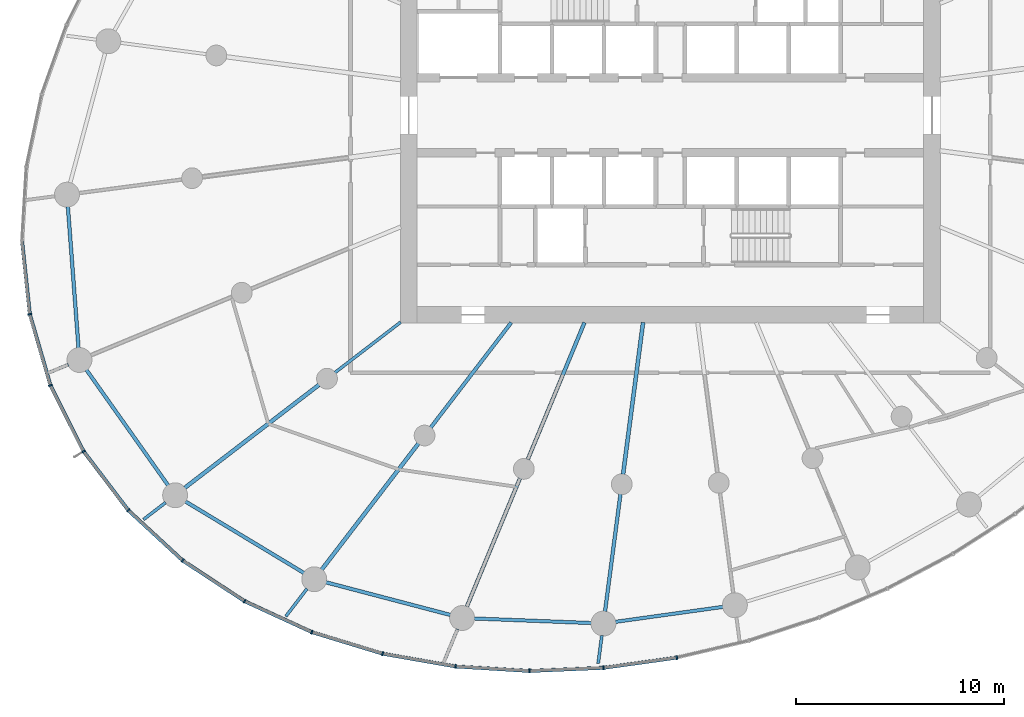
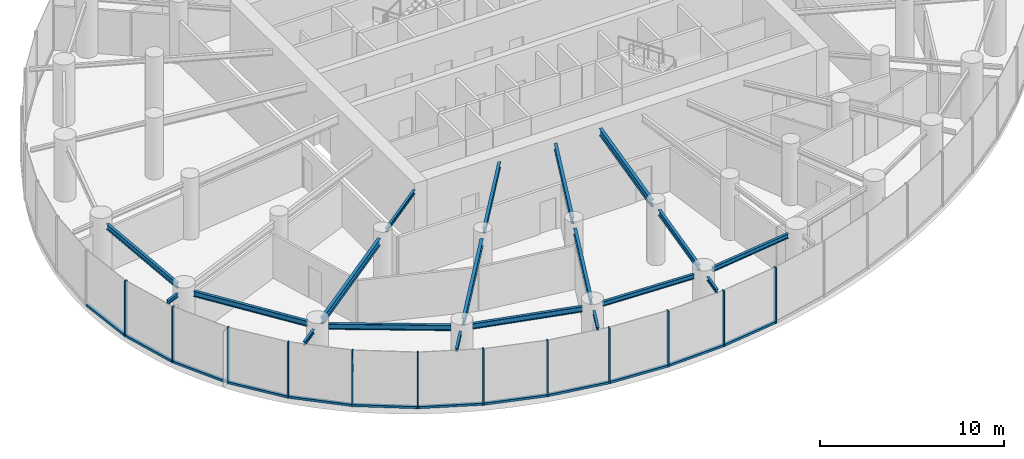
# One storey, part 2 of 17: 24 members, 19 beams, 3 elements without a shape of their own.
"""IFC4 building model written with IfcOpenShell, lengths in metres."""

from ifc_helpers import new_model, si_unit, direction, frame, origin, origin_2d, place, context, subcontext, project, spatial, rectangle, i_section, extrude, source, transform, mapped, material, layer, layer_set, material_profile, profile_set, type_object, element, aggregate, save


model = new_model("IFC4")

# Units and contexts
model_context = context("Model", 3, precision=1e-05, world=origin(), true_north=direction((0.0, 1.0)))
body_context = subcontext(model_context, "Body", "Model", "MODEL_VIEW")
ifc_project = project(units=[si_unit("LENGTHUNIT", "METRE"), si_unit("AREAUNIT", "SQUARE_METRE"), si_unit("VOLUMEUNIT", "CUBIC_METRE"), si_unit("PLANEANGLEUNIT", "RADIAN"), si_unit("MASSUNIT", "GRAM", prefix="KILO")], contexts=[model_context])

# Site, building, storey
site_placement = place(None, origin())
site = spatial("IfcSite", under=ifc_project, at=site_placement, CompositionType="ELEMENT")
building_placement = place(site_placement, origin())
building = spatial("IfcBuilding", under=site, at=building_placement, Name="Spindrift Exchange Tower", CompositionType="ELEMENT")
storey_placement = place(building_placement, frame((0.0, 0.0, 104.39990234375)))
storey = spatial("IfcBuildingStorey", under=building, at=storey_placement, Name="L24", CompositionType="ELEMENT", Elevation=104.39990234375)

# Beams
ifc_material_1 = material(Name="Steel Grade 300", Category="steel")
ifc_material_profile_1 = material_profile(ifc_material_1, i_section(OverallWidth=0.14599609375, OverallDepth=0.251953125, WebThickness=0.006103515625, FlangeThickness=0.008544921875, FilletRadius=0.011962890625, at=origin_2d()), Name="250UB31.4")
ifc_profile_set_1 = profile_set([ifc_material_profile_1], Name="Steel Grade 300")
beam_type_1 = type_object("IfcBeamType", Name="Floor Beam 250UB31.4 Steel Grade 300", PredefinedType="BEAM", material=ifc_profile_set_1)
shared_shape_1 = source(origin(), body_context, "Body", "SweptSolid", [
    extrude(i_section(OverallWidth=0.14599609375, OverallDepth=0.251953125, WebThickness=0.006103515625, FlangeThickness=0.008544921875, FilletRadius=0.011962890625, at=origin_2d()), origin(), (0.0, 0.0, 1.0), 3.99560546875),
])
beam_1_placement = place(storey_placement, frame((39.015869140625, 38.036865234375, 3.57421875), z_axis=(-0.793352561574, -0.608762443851, 0.0), x_axis=(0.608762443851, -0.793352561574, 0.0)))
element("IfcBeam", 1, at=beam_1_placement, inside=storey, type_object=beam_type_1, Name="L24 radial beam R15A", PredefinedType="BEAM", context=body_context, shape_type="MappedRepresentation", body=[
    mapped(shared_shape_1, transform((0.0, 0.0, 0.0), scale=1.0)),
])
ifc_material_profile_2 = material_profile(ifc_material_1, i_section(OverallWidth=0.172119140625, OverallDepth=0.35888671875, WebThickness=0.008056640625, FlangeThickness=0.012939453125, FilletRadius=0.013916015625, at=origin_2d()), Name="360UB56.7")
ifc_profile_set_2 = profile_set([ifc_material_profile_2], Name="Steel Grade 300")
beam_type_2 = type_object("IfcBeamType", Name="Floor Beam 360UB56.7 Steel Grade 300", PredefinedType="BEAM", material=ifc_profile_set_2)
shared_shape_2 = source(origin(), body_context, "Body", "SweptSolid", [
    extrude(i_section(OverallWidth=0.172119140625, OverallDepth=0.35888671875, WebThickness=0.008056640625, FlangeThickness=0.012939453125, FilletRadius=0.013916015625, at=origin_2d()), origin(), (0.0, 0.0, 1.0), 6.37646484375),
])
beam_2_placement = place(storey_placement, frame((44.3388671875, 38.015869140625, 3.5205078125), z_axis=(-0.608766669952, -0.793349318747, 0.0), x_axis=(0.793349318747, -0.608766669952, 0.0)))
element("IfcBeam", 2, at=beam_2_placement, inside=storey, type_object=beam_type_2, Name="L24 radial beam R16A", PredefinedType="BEAM", context=body_context, shape_type="MappedRepresentation", body=[
    mapped(shared_shape_2, transform((0.0, 0.0, 0.0), scale=1.0)),
])
ifc_material_profile_3 = material_profile(ifc_material_1, i_section(OverallWidth=0.177978515625, OverallDepth=0.406005859375, WebThickness=0.0078125, FlangeThickness=0.0126953125, FilletRadius=0.013916015625, at=origin_2d()), Name="410UB59.7")
ifc_profile_set_3 = profile_set([ifc_material_profile_3], Name="Steel Grade 300")
beam_type_3 = type_object("IfcBeamType", Name="Floor Beam 410UB59.7 Steel Grade 300", PredefinedType="BEAM", material=ifc_profile_set_3)
shared_shape_3 = source(origin(), body_context, "Body", "SweptSolid", [
    extrude(i_section(OverallWidth=0.177978515625, OverallDepth=0.406005859375, WebThickness=0.0078125, FlangeThickness=0.0126953125, FilletRadius=0.013916015625, at=origin_2d()), origin(), (0.0, 0.0, 1.0), 7.150634765625),
])
beam_3_placement = place(storey_placement, frame((47.865478515625, 38.0185546875, 3.4970703125), z_axis=(-0.382665393358, -0.923887004306, 0.0), x_axis=(0.923887004306, -0.382665393358, 0.0)))
element("IfcBeam", 3, at=beam_3_placement, inside=storey, type_object=beam_type_3, Name="L24 radial beam R17A", PredefinedType="BEAM", context=body_context, shape_type="MappedRepresentation", body=[
    mapped(shared_shape_3, transform((0.0, 0.0, 0.0), scale=1.0)),
])
ifc_material_profile_4 = material_profile(ifc_material_1, i_section(OverallWidth=0.18994140625, OverallDepth=0.45703125, WebThickness=0.009033203125, FlangeThickness=0.014404296875, FilletRadius=0.013916015625, at=origin_2d()), Name="460UB74.6")
ifc_profile_set_4 = profile_set([ifc_material_profile_4], Name="Steel Grade 300")
beam_type_4 = type_object("IfcBeamType", Name="Floor Beam 460UB74.6 Steel Grade 300", PredefinedType="BEAM", material=ifc_profile_set_4)
shared_shape_4 = source(origin(), body_context, "Body", "SweptSolid", [
    extrude(i_section(OverallWidth=0.18994140625, OverallDepth=0.45703125, WebThickness=0.009033203125, FlangeThickness=0.014404296875, FilletRadius=0.013916015625, at=origin_2d()), origin(), (0.0, 0.0, 1.0), 7.374267578125),
])
beam_4_placement = place(storey_placement, frame((50.68603515625, 38.019775390625, 3.4716796875), z_axis=(-0.130539295622, -0.99144313619, 0.0), x_axis=(0.99144313619, -0.130539295622, 0.0)))
element("IfcBeam", 4, at=beam_4_placement, inside=storey, type_object=beam_type_4, Name="L24 radial beam R18A", PredefinedType="BEAM", context=body_context, shape_type="MappedRepresentation", body=[
    mapped(shared_shape_4, transform((0.0, 0.0, 0.0), scale=1.0)),
])
shared_shape_5 = source(origin(), body_context, "Body", "SweptSolid", [
    extrude(i_section(OverallWidth=0.18994140625, OverallDepth=0.45703125, WebThickness=0.009033203125, FlangeThickness=0.014404296875, FilletRadius=0.013916015625, at=origin_2d()), origin(), (0.0, 0.0, 1.0), 8.158447265625),
])
beam_5_placement = place(storey_placement, frame((35.08447265625, 35.020263671875, 3.4716796875), z_axis=(-0.793358732539, -0.608754401631, 0.0), x_axis=(0.608754401631, -0.793358732539, 0.0)))
element("IfcBeam", 5, at=beam_5_placement, inside=storey, type_object=beam_type_4, Name="L24 radial beam R15B", PredefinedType="BEAM", context=body_context, shape_type="MappedRepresentation", body=[
    mapped(shared_shape_5, transform((0.0, 0.0, 0.0), scale=1.0)),
])
shared_shape_6 = source(origin(), body_context, "Body", "SweptSolid", [
    extrude(i_section(OverallWidth=0.18994140625, OverallDepth=0.45703125, WebThickness=0.009033203125, FlangeThickness=0.014404296875, FilletRadius=0.013916015625, at=origin_2d()), origin(), (0.0, 0.0, 1.0), 7.663818359375),
])
beam_6_placement = place(storey_placement, frame((39.872802734375, 32.1953125, 3.4716796875), z_axis=(-0.608771227503, -0.793345821546, 0.0), x_axis=(0.793345821546, -0.608771227503, 0.0)))
element("IfcBeam", 6, at=beam_6_placement, inside=storey, type_object=beam_type_4, Name="L24 radial beam R16B", PredefinedType="BEAM", context=body_context, shape_type="MappedRepresentation", body=[
    mapped(shared_shape_6, transform((0.0, 0.0, 0.0), scale=1.0)),
])
shared_shape_7 = source(origin(), body_context, "Body", "SweptSolid", [
    extrude(i_section(OverallWidth=0.177978515625, OverallDepth=0.406005859375, WebThickness=0.0078125, FlangeThickness=0.0126953125, FilletRadius=0.013916015625, at=origin_2d()), origin(), (0.0, 0.0, 1.0), 6.71240234375),
])
beam_7_placement = place(storey_placement, frame((44.76171875, 30.525146484375, 3.4970703125), z_axis=(-0.382669812754, -0.923885173821, 0.0), x_axis=(0.923885173821, -0.382669812754, 0.0)))
element("IfcBeam", 7, at=beam_7_placement, inside=storey, type_object=beam_type_3, Name="L24 radial beam R17B", PredefinedType="BEAM", context=body_context, shape_type="MappedRepresentation", body=[
    mapped(shared_shape_7, transform((0.0, 0.0, 0.0), scale=1.0)),
])
shared_shape_8 = source(origin(), body_context, "Body", "SweptSolid", [
    extrude(i_section(OverallWidth=0.172119140625, OverallDepth=0.35888671875, WebThickness=0.008056640625, FlangeThickness=0.012939453125, FilletRadius=0.013916015625, at=origin_2d()), origin(), (0.0, 0.0, 1.0), 5.70751953125),
])
beam_8_placement = place(storey_placement, frame((49.59814453125, 29.7568359375, 3.5205078125), z_axis=(-0.130507624881, -0.991447305634, 0.0), x_axis=(0.991447305634, -0.130507624881, 0.0)))
element("IfcBeam", 8, at=beam_8_placement, inside=storey, type_object=beam_type_2, Name="L24 radial beam R18B", PredefinedType="BEAM", context=body_context, shape_type="MappedRepresentation", body=[
    mapped(shared_shape_8, transform((0.0, 0.0, 0.0), scale=1.0)),
])
ifc_material_profile_5 = material_profile(ifc_material_1, i_section(OverallWidth=0.172119140625, OverallDepth=0.35888671875, WebThickness=0.008056640625, FlangeThickness=0.012939453125, FilletRadius=0.013916015625, at=origin_2d()), Name="360UB56.7")
ifc_profile_set_5 = profile_set([ifc_material_profile_5], Name="Steel Grade 300")
beam_type_5 = type_object("IfcBeamType", Name="Edge Beam 360UB56.7 Steel Grade 300", PredefinedType="SPANDREL", material=ifc_profile_set_5)
shared_shape_9 = source(origin(), body_context, "Body", "SweptSolid", [
    extrude(i_section(OverallWidth=0.172119140625, OverallDepth=0.35888671875, WebThickness=0.008056640625, FlangeThickness=0.012939453125, FilletRadius=0.013916015625, at=origin_2d()), origin(), (0.0, 0.0, 1.0), 6.82373046875),
])
beam_9_placement = place(storey_placement, frame((22.9873046875, 43.59619140625, 3.5205078125), z_axis=(0.075276463877, -0.997162701863, 0.0), x_axis=(0.997162701863, 0.075276463877, 0.0)))
element("IfcBeam", 9, at=beam_9_placement, inside=storey, type_object=beam_type_5, Name="L24 edge beam E13", PredefinedType="SPANDREL", context=body_context, shape_type="MappedRepresentation", body=[
    mapped(shared_shape_9, transform((0.0, 0.0, 0.0), scale=1.0)),
])
shared_shape_10 = source(origin(), body_context, "Body", "SweptSolid", [
    extrude(i_section(OverallWidth=0.172119140625, OverallDepth=0.35888671875, WebThickness=0.008056640625, FlangeThickness=0.012939453125, FilletRadius=0.013916015625, at=origin_2d()), origin(), (0.0, 0.0, 1.0), 6.81787109375),
])
beam_10_placement = place(storey_placement, frame((23.87939453125, 35.739990234375, 3.5205078125), z_axis=(0.577526426198, -0.816371990604, 0.0), x_axis=(0.816371990604, 0.577526426198, 0.0)))
element("IfcBeam", 10, at=beam_10_placement, inside=storey, type_object=beam_type_5, Name="L24 edge beam E14", PredefinedType="SPANDREL", context=body_context, shape_type="MappedRepresentation", body=[
    mapped(shared_shape_10, transform((0.0, 0.0, 0.0), scale=1.0)),
])
shared_shape_11 = source(origin(), body_context, "Body", "SweptSolid", [
    extrude(i_section(OverallWidth=0.172119140625, OverallDepth=0.35888671875, WebThickness=0.008056640625, FlangeThickness=0.012939453125, FilletRadius=0.013916015625, at=origin_2d()), origin(), (0.0, 0.0, 1.0), 6.668701171875),
])
beam_11_placement = place(storey_placement, frame((28.6484375, 29.40087890625, 3.5205078125), z_axis=(0.856133207479, -0.516755194508, 0.0), x_axis=(0.516755194508, 0.856133207479, 0.0)))
element("IfcBeam", 11, at=beam_11_placement, inside=storey, type_object=beam_type_5, Name="L24 edge beam E15", PredefinedType="SPANDREL", context=body_context, shape_type="MappedRepresentation", body=[
    mapped(shared_shape_11, transform((0.0, 0.0, 0.0), scale=1.0)),
])
shared_shape_12 = source(origin(), body_context, "Body", "SweptSolid", [
    extrude(i_section(OverallWidth=0.172119140625, OverallDepth=0.35888671875, WebThickness=0.008056640625, FlangeThickness=0.012939453125, FilletRadius=0.013916015625, at=origin_2d()), origin(), (0.0, 0.0, 1.0), 6.197509765625),
])
beam_12_placement = place(storey_placement, frame((35.415283203125, 25.508056640625, 3.5205078125), z_axis=(0.967254420813, -0.253808757567, 0.0), x_axis=(0.253808757567, 0.967254420813, 0.0)))
element("IfcBeam", 12, at=beam_12_placement, inside=storey, type_object=beam_type_5, Name="L24 edge beam E16", PredefinedType="SPANDREL", context=body_context, shape_type="MappedRepresentation", body=[
    mapped(shared_shape_12, transform((0.0, 0.0, 0.0), scale=1.0)),
])
ifc_material_profile_6 = material_profile(ifc_material_1, i_section(OverallWidth=0.1650390625, OverallDepth=0.303955078125, WebThickness=0.006103515625, FlangeThickness=0.01025390625, FilletRadius=0.011474609375, at=origin_2d()), Name="310UB40.4")
ifc_profile_set_6 = profile_set([ifc_material_profile_6], Name="Steel Grade 300")
beam_type_6 = type_object("IfcBeamType", Name="Edge Beam 310UB40.4 Steel Grade 300", PredefinedType="SPANDREL", material=ifc_profile_set_6)
shared_shape_13 = source(origin(), body_context, "Body", "SweptSolid", [
    extrude(i_section(OverallWidth=0.1650390625, OverallDepth=0.303955078125, WebThickness=0.006103515625, FlangeThickness=0.01025390625, FilletRadius=0.011474609375, at=origin_2d()), origin(), (0.0, 0.0, 1.0), 5.65185546875),
])
beam_13_placement = place(storey_placement, frame((42.550537109375, 23.765380859375, 3.548095703125), z_axis=(0.99924397539, -0.038877726865, 0.0), x_axis=(0.038877726865, 0.99924397539, 0.0)))
element("IfcBeam", 13, at=beam_13_placement, inside=storey, type_object=beam_type_6, Name="L24 edge beam E17", PredefinedType="SPANDREL", context=body_context, shape_type="MappedRepresentation", body=[
    mapped(shared_shape_13, transform((0.0, 0.0, 0.0), scale=1.0)),
])
shared_shape_14 = source(origin(), body_context, "Body", "SweptSolid", [
    extrude(i_section(OverallWidth=0.1650390625, OverallDepth=0.303955078125, WebThickness=0.006103515625, FlangeThickness=0.01025390625, FilletRadius=0.011474609375, at=origin_2d()), origin(), (0.0, 0.0, 1.0), 5.22998046875),
])
beam_14_placement = place(storey_placement, frame((49.35205078125, 23.603271484375, 3.548095703125), z_axis=(0.990440078597, 0.137943650481, 0.0), x_axis=(-0.137943650481, 0.990440078597, 0.0)))
element("IfcBeam", 14, at=beam_14_placement, inside=storey, type_object=beam_type_6, Name="L24 edge beam E18", PredefinedType="SPANDREL", context=body_context, shape_type="MappedRepresentation", body=[
    mapped(shared_shape_14, transform((0.0, 0.0, 0.0), scale=1.0)),
])
ifc_material_profile_7 = material_profile(ifc_material_1, i_section(OverallWidth=0.14599609375, OverallDepth=0.251953125, WebThickness=0.006103515625, FlangeThickness=0.008544921875, FilletRadius=0.011962890625, at=origin_2d()), Name="250UB31.4")
ifc_profile_set_7 = profile_set([ifc_material_profile_7], Name="Steel Grade 300")
beam_type_7 = type_object("IfcBeamType", Name="Cantilever Beam 250UB31.4 Steel Grade 300", PredefinedType="BEAM", material=ifc_profile_set_7)
shared_shape_15 = source(origin(), body_context, "Body", "SweptSolid", [
    extrude(i_section(OverallWidth=0.14599609375, OverallDepth=0.251953125, WebThickness=0.006103515625, FlangeThickness=0.008544921875, FilletRadius=0.011962890625, at=origin_2d()), origin(), (0.0, 0.0, 1.0), 0.9267578125),
])
beam_15_placement = place(storey_placement, frame((23.0087890625, 35.991455078125, 3.57421875), z_axis=(-0.923846648553, -0.382762811619, 0.0), x_axis=(0.382762811619, -0.923846648553, 0.0)))
element("IfcBeam", 15, at=beam_15_placement, inside=storey, type_object=beam_type_7, Name="L24 cantilever beam R14T", PredefinedType="BEAM", context=body_context, shape_type="MappedRepresentation", body=[
    mapped(shared_shape_15, transform((0.0, 0.0, 0.0), scale=1.0)),
])
shared_shape_16 = source(origin(), body_context, "Body", "SweptSolid", [
    extrude(i_section(OverallWidth=0.14599609375, OverallDepth=0.251953125, WebThickness=0.006103515625, FlangeThickness=0.008544921875, FilletRadius=0.011962890625, at=origin_2d()), origin(), (0.0, 0.0, 1.0), 1.33740234375),
])
beam_16_placement = place(storey_placement, frame((27.691650390625, 29.347412109375, 3.57421875), z_axis=(-0.793424144756, -0.608669143722, 0.0), x_axis=(0.608669143722, -0.793424144756, 0.0)))
element("IfcBeam", 16, at=beam_16_placement, inside=storey, type_object=beam_type_7, Name="L24 cantilever beam R15T", PredefinedType="BEAM", context=body_context, shape_type="MappedRepresentation", body=[
    mapped(shared_shape_16, transform((0.0, 0.0, 0.0), scale=1.0)),
])
shared_shape_17 = source(origin(), body_context, "Body", "SweptSolid", [
    extrude(i_section(OverallWidth=0.14599609375, OverallDepth=0.251953125, WebThickness=0.006103515625, FlangeThickness=0.008544921875, FilletRadius=0.011962890625, at=origin_2d()), origin(), (0.0, 0.0, 1.0), 1.67724609375),
])
beam_17_placement = place(storey_placement, frame((34.501220703125, 25.195068359375, 3.57421875), z_axis=(-0.608767651561, -0.79334856552, 0.0), x_axis=(0.79334856552, -0.608767651561, 0.0)))
element("IfcBeam", 17, at=beam_17_placement, inside=storey, type_object=beam_type_7, Name="L24 cantilever beam R16T", PredefinedType="BEAM", context=body_context, shape_type="MappedRepresentation", body=[
    mapped(shared_shape_17, transform((0.0, 0.0, 0.0), scale=1.0)),
])
shared_shape_18 = source(origin(), body_context, "Body", "SweptSolid", [
    extrude(i_section(OverallWidth=0.14599609375, OverallDepth=0.251953125, WebThickness=0.006103515625, FlangeThickness=0.008544921875, FilletRadius=0.011962890625, at=origin_2d()), origin(), (0.0, 0.0, 1.0), 1.62890625),
])
beam_18_placement = place(storey_placement, frame((41.7490234375, 23.251953125, 3.57421875), z_axis=(-0.382656259044, -0.923890787601, 0.0), x_axis=(0.923890787601, -0.382656259044, 0.0)))
element("IfcBeam", 18, at=beam_18_placement, inside=storey, type_object=beam_type_7, Name="L24 cantilever beam R17T", PredefinedType="BEAM", context=body_context, shape_type="MappedRepresentation", body=[
    mapped(shared_shape_18, transform((0.0, 0.0, 0.0), scale=1.0)),
])
shared_shape_19 = source(origin(), body_context, "Body", "SweptSolid", [
    extrude(i_section(OverallWidth=0.14599609375, OverallDepth=0.251953125, WebThickness=0.006103515625, FlangeThickness=0.008544921875, FilletRadius=0.011962890625, at=origin_2d()), origin(), (0.0, 0.0, 1.0), 1.366943359375),
])
beam_19_placement = place(storey_placement, frame((48.701904296875, 22.9482421875, 3.57421875), z_axis=(-0.130560775534, -0.991440307781, 0.0), x_axis=(0.991440307781, -0.130560775534, 0.0)))
element("IfcBeam", 19, at=beam_19_placement, inside=storey, type_object=beam_type_7, Name="L24 cantilever beam R18T", PredefinedType="BEAM", context=body_context, shape_type="MappedRepresentation", body=[
    mapped(shared_shape_19, transform((0.0, 0.0, 0.0), scale=1.0)),
])

# Curtain wall, members
ifc_material_2 = material(Name="Fritted laminated glass with bronze frame", Category="glass")
ifc_layer = layer(ifc_material_2, 0.18994140625)
ifc_layer_set = layer_set([ifc_layer], Name="ZONE 2 BRONZE FRITTED WALL")
curtain_wall_type = type_object("IfcCurtainWallType", Name="ZONE 2 BRONZE FRITTED WALL", PredefinedType="NOTDEFINED", material=ifc_layer_set)
curtain_wall_1_placement = place(storey_placement, origin())
curtain_wall_1 = element("IfcCurtainWall", 20, at=curtain_wall_1_placement, inside=storey, type_object=curtain_wall_type, Name="L24 Zone 2 Bronze Fritted Wall run 5", PredefinedType="NOTDEFINED")
ifc_material_3 = material(Name="Bronze anodised aluminium", Category="aluminium")
ifc_material_profile_8 = material_profile(ifc_material_3, rectangle(XDim=0.169921875, YDim=0.139892578125, at=origin_2d()), Name="ZONE 2 BRONZE FRITTED WALL TRANSOM 170X140")
ifc_profile_set_8 = profile_set([ifc_material_profile_8], Name="Bronze anodised aluminium")
member_type_1 = type_object("IfcMemberType", Name="ZONE 2 BRONZE FRITTED WALL TRANSOM 170X140", PredefinedType="USERDEFINED", material=ifc_profile_set_8)
shared_shape_20 = source(origin(), body_context, "Body", "SweptSolid", [
    extrude(rectangle(XDim=0.169921875, YDim=0.139892578125, at=origin_2d()), origin(), (0.0, 0.0, 1.0), 3.489013671875),
])
member_1_placement = place(storey_placement, frame((28.54833984375, 26.53466796875, 0.070068359375), z_axis=(0.835799062102, -0.549035452215, 0.0), x_axis=(0.549035452215, 0.835799062102, 0.0)))
member_1 = element("IfcMember", 21, at=member_1_placement, type_object=member_type_1, Name="L24 transom CW-2.29", ObjectType="TRANSOM", PredefinedType="USERDEFINED", context=body_context, shape_type="MappedRepresentation", body=[
    mapped(shared_shape_20, transform((0.0, 0.0, 0.0), scale=1.0)),
])
shared_shape_21 = source(origin(), body_context, "Body", "SweptSolid", [
    extrude(rectangle(XDim=0.169921875, YDim=0.139892578125, at=origin_2d()), origin(), (0.0, 0.0, 1.0), 3.487548828125),
])
member_2_placement = place(storey_placement, frame((22.162841796875, 34.9609375, 0.070068359375), z_axis=(0.448920821232, -0.893571539533, 0.0), x_axis=(0.893571539533, 0.448920821232, 0.0)))
member_2 = element("IfcMember", 22, at=member_2_placement, type_object=member_type_1, Name="L24 transom CW-2.26", ObjectType="TRANSOM", PredefinedType="USERDEFINED", context=body_context, shape_type="MappedRepresentation", body=[
    mapped(shared_shape_21, transform((0.0, 0.0, 0.0), scale=1.0)),
])
shared_shape_22 = source(origin(), body_context, "Body", "SweptSolid", [
    extrude(rectangle(XDim=0.169921875, YDim=0.139892578125, at=origin_2d()), origin(), (0.0, 0.0, 1.0), 3.48779296875),
])
member_3_placement = place(storey_placement, frame((21.164306640625, 38.38037109375, 0.070068359375), z_axis=(0.278454070036, -0.960449546244, 0.0), x_axis=(0.960449546244, 0.278454070036, 0.0)))
member_3 = element("IfcMember", 23, at=member_3_placement, type_object=member_type_1, Name="L24 transom CW-2.25", ObjectType="TRANSOM", PredefinedType="USERDEFINED", context=body_context, shape_type="MappedRepresentation", body=[
    mapped(shared_shape_22, transform((0.0, 0.0, 0.0), scale=1.0)),
])
member_4_placement = place(storey_placement, frame((23.76806640625, 31.781005859375, 0.070068359375), z_axis=(0.604358904616, -0.79671219045, 0.0), x_axis=(0.79671219045, 0.604358904616, 0.0)))
member_4 = element("IfcMember", 24, at=member_4_placement, type_object=member_type_1, Name="L24 transom CW-2.27", ObjectType="TRANSOM", PredefinedType="USERDEFINED", context=body_context, shape_type="MappedRepresentation", body=[
    mapped(shared_shape_22, transform((0.0, 0.0, 0.0), scale=1.0)),
])

curtain_wall_2_placement = place(storey_placement, origin())
curtain_wall_2 = element("IfcCurtainWall", 25, at=curtain_wall_2_placement, inside=storey, type_object=curtain_wall_type, Name="L24 Zone 2 Bronze Fritted Wall run 6", PredefinedType="NOTDEFINED")
shared_shape_23 = source(origin(), body_context, "Body", "SweptSolid", [
    extrude(rectangle(XDim=0.169921875, YDim=0.139892578125, at=origin_2d()), origin(), (0.0, 0.0, 1.0), 3.49072265625),
])
member_5_placement = place(storey_placement, frame((38.181640625, 22.063232421875, 0.070068359375), z_axis=(0.985100156482, -0.171981631863, 0.0), x_axis=(0.171981631863, 0.985100156482, 0.0)))
member_5 = element("IfcMember", 26, at=member_5_placement, type_object=member_type_1, Name="L24 transom CW-2.32", ObjectType="TRANSOM", PredefinedType="USERDEFINED", context=body_context, shape_type="MappedRepresentation", body=[
    mapped(shared_shape_23, transform((0.0, 0.0, 0.0), scale=1.0)),
])
shared_shape_24 = source(origin(), body_context, "Body", "SweptSolid", [
    extrude(rectangle(XDim=0.169921875, YDim=0.139892578125, at=origin_2d()), origin(), (0.0, 0.0, 1.0), 3.491455078125),
])
member_6_placement = place(storey_placement, frame((45.254150390625, 21.240966796875, 0.070068359375), z_axis=(0.999110630826, 0.042165713213, 0.0), x_axis=(-0.042165713213, 0.999110630826, 0.0)))
member_6 = element("IfcMember", 27, at=member_6_placement, type_object=member_type_1, Name="L24 transom CW-2.34", ObjectType="TRANSOM", PredefinedType="USERDEFINED", context=body_context, shape_type="MappedRepresentation", body=[
    mapped(shared_shape_24, transform((0.0, 0.0, 0.0), scale=1.0)),
])
member_7_placement = place(storey_placement, frame((48.817138671875, 21.39501953125, 0.070068359375), z_axis=(0.990437142068, 0.137964733218, 0.0), x_axis=(-0.137964733218, 0.990437142068, 0.0)))
member_7 = element("IfcMember", 28, at=member_7_placement, type_object=member_type_1, Name="L24 transom CW-2.35", ObjectType="TRANSOM", PredefinedType="USERDEFINED", context=body_context, shape_type="MappedRepresentation", body=[
    mapped(shared_shape_24, transform((0.0, 0.0, 0.0), scale=1.0)),
])

# Member
ifc_material_profile_9 = material_profile(ifc_material_3, rectangle(XDim=0.074951171875, YDim=0.18994140625, at=origin_2d()), Name="ZONE 2 BRONZE FRITTED WALL MULLION 75X190")
ifc_profile_set_9 = profile_set([ifc_material_profile_9], Name="Bronze anodised aluminium")
member_type_2 = type_object("IfcMemberType", Name="ZONE 2 BRONZE FRITTED WALL MULLION 75X190", PredefinedType="MULLION", material=ifc_profile_set_9)
shared_shape_25 = source(origin(), body_context, "Body", "SweptSolid", [
    extrude(rectangle(XDim=0.074951171875, YDim=0.18994140625, at=origin_2d()), origin(), (0.0, 0.0, 1.0), 3.7001953125),
])
member_8_placement = place(storey_placement, frame((21.15380859375, 38.416259765625, 0.0), z_axis=(0.0, 0.0, 1.0), x_axis=(0.192793040194, -0.981239442569, 0.0)))
member_8 = element("IfcMember", 29, at=member_8_placement, type_object=member_type_2, Name="L24 mullion CW-2.25", PredefinedType="MULLION", context=body_context, shape_type="MappedRepresentation", body=[
    mapped(shared_shape_25, transform((0.0, 0.0, 0.0), scale=1.0)),
])

member_9_placement = place(storey_placement, frame((22.14599609375, 34.994384765625, 0.0), z_axis=(0.0, 0.0, 1.0), x_axis=(0.365229168887, -0.93091764093, 0.0)))
member_9 = element("IfcMember", 30, at=member_9_placement, type_object=member_type_2, Name="L24 mullion CW-2.26", PredefinedType="MULLION", context=body_context, shape_type="MappedRepresentation", body=[
    mapped(shared_shape_25, transform((0.0, 0.0, 0.0), scale=1.0)),
])

member_10_placement = place(storey_placement, frame((23.745361328125, 31.810791015625, 0.0), z_axis=(0.0, 0.0, 1.0), x_axis=(0.528877031917, -0.848698465364, 0.0)))
member_10 = element("IfcMember", 31, at=member_10_placement, type_object=member_type_2, Name="L24 mullion CW-2.27", PredefinedType="MULLION", context=body_context, shape_type="MappedRepresentation", body=[
    mapped(shared_shape_25, transform((0.0, 0.0, 0.0), scale=1.0)),
])

member_11_placement = place(storey_placement, frame((25.898681640625, 28.972412109375, 0.0), z_axis=(0.0, 0.0, 1.0), x_axis=(0.672180147528, -0.740387634465, 0.0)))
member_11 = element("IfcMember", 32, at=member_11_placement, type_object=member_type_2, Name="L24 mullion CW-2.28", PredefinedType="MULLION", context=body_context, shape_type="MappedRepresentation", body=[
    mapped(shared_shape_25, transform((0.0, 0.0, 0.0), scale=1.0)),
])

member_12_placement = place(storey_placement, frame((28.51708984375, 26.55517578125, 0.0), z_axis=(0.0, 0.0, 1.0), x_axis=(0.787941192221, -0.615750499474, 0.0)))
member_12 = element("IfcMember", 33, at=member_12_placement, type_object=member_type_2, Name="L24 mullion CW-2.29", PredefinedType="MULLION", context=body_context, shape_type="MappedRepresentation", body=[
    mapped(shared_shape_25, transform((0.0, 0.0, 0.0), scale=1.0)),
])

member_13_placement = place(storey_placement, frame((31.495849609375, 24.598388671875, 0.0), z_axis=(0.0, 0.0, 1.0), x_axis=(0.8745766434, -0.484887301154, 0.0)))
member_13 = element("IfcMember", 34, at=member_13_placement, type_object=member_type_2, Name="L24 mullion CW-2.30", PredefinedType="MULLION", context=body_context, shape_type="MappedRepresentation", body=[
    mapped(shared_shape_25, transform((0.0, 0.0, 0.0), scale=1.0)),
])

member_14_placement = place(storey_placement, frame((34.734130859375, 23.1083984375, 0.0), z_axis=(0.0, 0.0, 1.0), x_axis=(0.934675612317, -0.355501757718, 0.0)))
member_14 = element("IfcMember", 35, at=member_14_placement, type_object=member_type_2, Name="L24 mullion CW-2.31", PredefinedType="MULLION", context=body_context, shape_type="MappedRepresentation", body=[
    mapped(shared_shape_25, transform((0.0, 0.0, 0.0), scale=1.0)),
])

member_15_placement = place(storey_placement, frame((38.144775390625, 22.069580078125, 0.0), z_axis=(0.0, 0.0, 1.0), x_axis=(0.972693777691, -0.232092255023, 0.0)))
member_15 = element("IfcMember", 36, at=member_15_placement, type_object=member_type_2, Name="L24 mullion CW-2.32", PredefinedType="MULLION", context=body_context, shape_type="MappedRepresentation", body=[
    mapped(shared_shape_25, transform((0.0, 0.0, 0.0), scale=1.0)),
])

member_16_placement = place(storey_placement, frame((41.657470703125, 21.456298828125, 0.0), z_axis=(0.0, 0.0, 1.0), x_axis=(0.993178012465, -0.116608042416, 0.0)))
member_16 = element("IfcMember", 37, at=member_16_placement, type_object=member_type_2, Name="L24 mullion CW-2.33", PredefinedType="MULLION", context=body_context, shape_type="MappedRepresentation", body=[
    mapped(shared_shape_25, transform((0.0, 0.0, 0.0), scale=1.0)),
])

member_17_placement = place(storey_placement, frame((45.216796875, 21.2392578125, 0.0), z_axis=(0.0, 0.0, 1.0), x_axis=(0.999956267793, -0.009352138889, 0.0)))
member_17 = element("IfcMember", 38, at=member_17_placement, type_object=member_type_2, Name="L24 mullion CW-2.34", PredefinedType="MULLION", context=body_context, shape_type="MappedRepresentation", body=[
    mapped(shared_shape_25, transform((0.0, 0.0, 0.0), scale=1.0)),
])

member_18_placement = place(storey_placement, frame((48.77978515625, 21.389892578125, 0.0), z_axis=(0.0, 0.0, 1.0), x_axis=(0.995922812922, 0.090209482328, 0.0)))
member_18 = element("IfcMember", 39, at=member_18_placement, type_object=member_type_2, Name="L24 mullion CW-2.35", PredefinedType="MULLION", context=body_context, shape_type="MappedRepresentation", body=[
    mapped(shared_shape_25, transform((0.0, 0.0, 0.0), scale=1.0)),
])

member_19_placement = place(storey_placement, frame((52.312255859375, 21.882080078125, 0.0), z_axis=(0.0, 0.0, 1.0), x_axis=(0.983120387525, 0.182959841585, 0.0)))
member_19 = element("IfcMember", 40, at=member_19_placement, type_object=member_type_2, Name="L24 mullion CW-2.36", PredefinedType="MULLION", context=body_context, shape_type="MappedRepresentation", body=[
    mapped(shared_shape_25, transform((0.0, 0.0, 0.0), scale=1.0)),
])

shared_shape_26 = source(origin(), body_context, "Body", "SweptSolid", [
    extrude(rectangle(XDim=0.169921875, YDim=0.139892578125, at=origin_2d()), origin(), (0.0, 0.0, 1.0), 3.490966796875),
])
member_20_placement = place(storey_placement, frame((41.69482421875, 21.4541015625, 0.070068359375), z_axis=(0.998147450402, -0.060841328512, 0.0), x_axis=(0.060841328512, 0.998147450402, 0.0)))
member_20 = element("IfcMember", 41, at=member_20_placement, type_object=member_type_1, Name="L24 transom CW-2.33", ObjectType="TRANSOM", PredefinedType="USERDEFINED", context=body_context, shape_type="MappedRepresentation", body=[
    mapped(shared_shape_26, transform((0.0, 0.0, 0.0), scale=1.0)),
])

shared_shape_27 = source(origin(), body_context, "Body", "SweptSolid", [
    extrude(rectangle(XDim=0.169921875, YDim=0.139892578125, at=origin_2d()), origin(), (0.0, 0.0, 1.0), 3.490234375),
])
member_21_placement = place(storey_placement, frame((34.77001953125, 23.097412109375, 0.070068359375), z_axis=(0.956620495078, -0.291336967096, 0.0), x_axis=(0.291336967096, 0.956620495078, 0.0)))
member_21 = element("IfcMember", 42, at=member_21_placement, type_object=member_type_1, Name="L24 transom CW-2.31", ObjectType="TRANSOM", PredefinedType="USERDEFINED", context=body_context, shape_type="MappedRepresentation", body=[
    mapped(shared_shape_27, transform((0.0, 0.0, 0.0), scale=1.0)),
])

aggregate(curtain_wall_2, [member_14, member_21, member_15, member_5, member_16, member_20, member_17, member_6, member_18, member_7, member_19])

# Curtain wall, member
curtain_wall_3_placement = place(storey_placement, origin())
curtain_wall_3 = element("IfcCurtainWall", 43, at=curtain_wall_3_placement, inside=storey, type_object=curtain_wall_type, Name="L24 Zone 2 Bronze Fritted Wall run 4", PredefinedType="NOTDEFINED")
shared_shape_28 = source(origin(), body_context, "Body", "SweptSolid", [
    extrude(rectangle(XDim=0.169921875, YDim=0.139892578125, at=origin_2d()), origin(), (0.0, 0.0, 1.0), 3.488525390625),
])
member_22_placement = place(storey_placement, frame((20.781494140625, 41.922607421875, 0.070068359375), z_axis=(0.105606424213, -0.994408006386, 0.0), x_axis=(0.994408006386, 0.105606424213, 0.0)))
member_22 = element("IfcMember", 44, at=member_22_placement, type_object=member_type_1, Name="L24 transom CW-2.24", ObjectType="TRANSOM", PredefinedType="USERDEFINED", context=body_context, shape_type="MappedRepresentation", body=[
    mapped(shared_shape_28, transform((0.0, 0.0, 0.0), scale=1.0)),
])
aggregate(curtain_wall_3, [member_22])

# Member
member_23_placement = place(storey_placement, frame((25.92626953125, 28.947021484375, 0.070068359375), z_axis=(0.734747098291, -0.678341139511, 0.0), x_axis=(0.678341139511, 0.734747098291, 0.0)))
member_23 = element("IfcMember", 45, at=member_23_placement, type_object=member_type_1, Name="L24 transom CW-2.28", ObjectType="TRANSOM", PredefinedType="USERDEFINED", context=body_context, shape_type="MappedRepresentation", body=[
    mapped(shared_shape_28, transform((0.0, 0.0, 0.0), scale=1.0)),
])

shared_shape_29 = source(origin(), body_context, "Body", "SweptSolid", [
    extrude(rectangle(XDim=0.169921875, YDim=0.139892578125, at=origin_2d()), origin(), (0.0, 0.0, 1.0), 3.489990234375),
])
member_24_placement = place(storey_placement, frame((31.52978515625, 24.582763671875, 0.070068359375), z_axis=(0.908452202722, -0.41798875029, 0.0), x_axis=(0.41798875029, 0.908452202722, 0.0)))
member_24 = element("IfcMember", 46, at=member_24_placement, type_object=member_type_1, Name="L24 transom CW-2.30", ObjectType="TRANSOM", PredefinedType="USERDEFINED", context=body_context, shape_type="MappedRepresentation", body=[
    mapped(shared_shape_29, transform((0.0, 0.0, 0.0), scale=1.0)),
])

aggregate(curtain_wall_1, [member_8, member_3, member_9, member_2, member_10, member_4, member_11, member_23, member_12, member_1, member_13, member_24])

save(model, "model.ifc")
